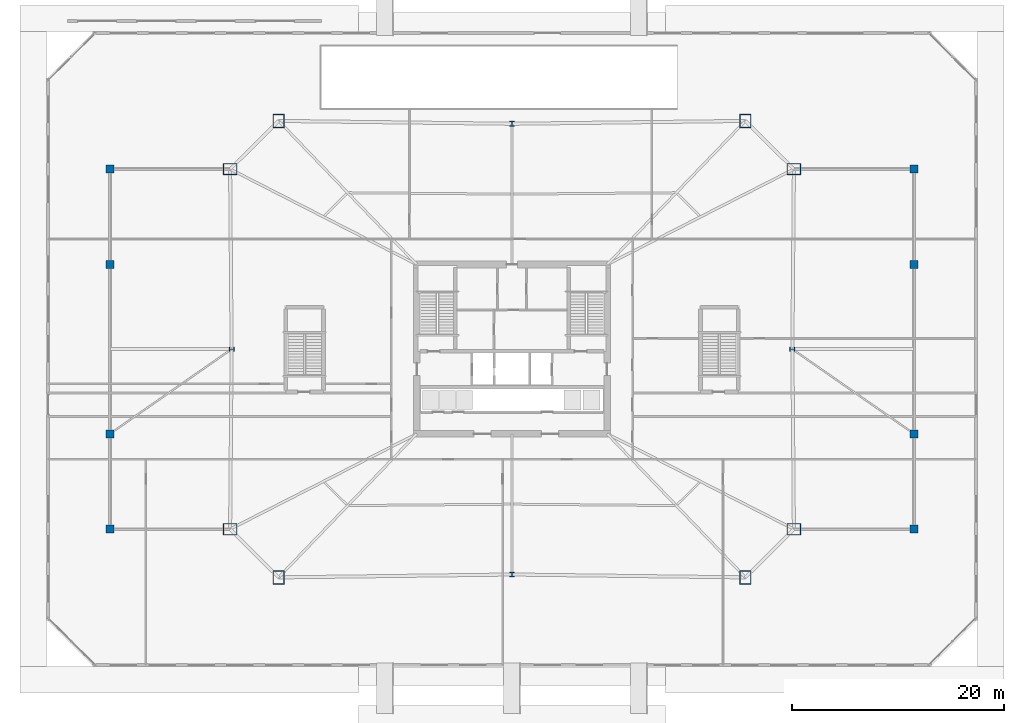
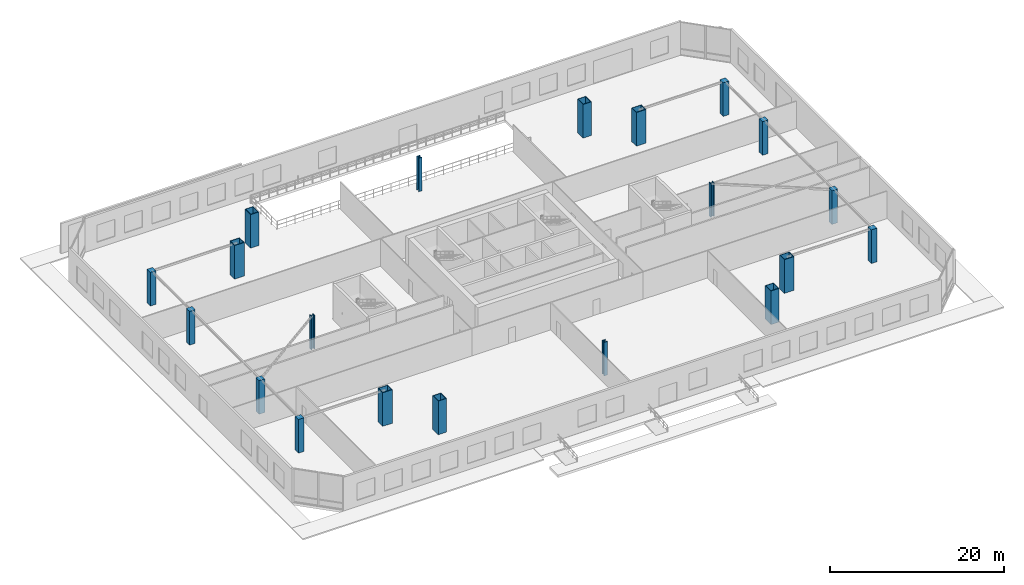
# One storey, part 1 of 23: 20 columns.
"""IFC4 building model written with IfcOpenShell, lengths in metres."""

from ifc_helpers import new_model, si_unit, direction, frame, origin, origin_2d, place, context, subcontext, project, spatial, rectangle, hollow_rectangle, i_section, extrude, material, material_profile, profile_set, type_object, element, save


model = new_model("IFC4")

# Units and contexts
model_context = context("Model", 3, precision=1e-05, world=origin(), true_north=direction((0.0, 1.0)))
body_context = subcontext(model_context, "Body", "Model", "MODEL_VIEW")
ifc_project = project(units=[si_unit("LENGTHUNIT", "METRE"), si_unit("AREAUNIT", "SQUARE_METRE"), si_unit("VOLUMEUNIT", "CUBIC_METRE"), si_unit("PLANEANGLEUNIT", "RADIAN"), si_unit("MASSUNIT", "GRAM", prefix="KILO")], contexts=[model_context])

# Site, building, storey
site_placement = place(None, origin())
site = spatial("IfcSite", under=ifc_project, at=site_placement, CompositionType="ELEMENT")
building_placement = place(site_placement, origin())
building = spatial("IfcBuilding", under=site, at=building_placement, Name="Caelvoria Tower", CompositionType="ELEMENT")
storey_placement = place(building_placement, origin())
storey = spatial("IfcBuildingStorey", under=building, at=storey_placement, Name="L00", CompositionType="ELEMENT", Elevation=0.0)

# Columns
ifc_material_1 = material(Name="Structural Steel ASTM A913 Gr.65", Category="steel")
ifc_material_profile_1 = material_profile(ifc_material_1, i_section(OverallWidth=0.43896484375, OverallDepth=0.513916015625, WebThickness=0.059814453125, FlangeThickness=0.096923828125, FilletRadius=0.02490234375, at=origin_2d()), Name="Structural Steel ASTM A913 Gr.65")
ifc_profile_set_1 = profile_set([ifc_material_profile_1], Name="W360X818 - Structural Steel ASTM A913 Gr.65")
column_type_1 = type_object("IfcColumnType", Name="Heavy Frame Column W360X818", PredefinedType="COLUMN", material=ifc_profile_set_1)
for number, where, z_axis, x_axis, name in (
    (1, (46.0, 10.699951171875, 0.0), (0.0, 0.0, 1.0), (1.0, 0.0, 0.0), "Perimeter Megaframe Column L00-P01"),
    (2, (72.5, 32.0, 0.0), (0.0, 0.0, 1.0), (0.0, 1.0, 0.0), "Perimeter Megaframe Column L00-P04"),
    (3, (46.0, 53.300048828125, 0.0), (0.0, 0.0, 1.0), (1.0, 0.0, 0.0), "Perimeter Megaframe Column L00-P07"),
    (4, (19.5, 32.0, 0.0), (0.0, 0.0, 1.0), (0.0, 1.0, 0.0), "Perimeter Megaframe Column L00-P10"),
):
    element("IfcColumn", number, at=place(storey_placement, frame(where, z_axis=z_axis, x_axis=x_axis)), inside=storey, type_object=column_type_1, Name=name, PredefinedType="COLUMN", context=body_context, shape_type="SweptSolid", body=[
        extrude(i_section(OverallWidth=0.43896484375, OverallDepth=0.513916015625, WebThickness=0.059814453125, FlangeThickness=0.096923828125, FilletRadius=0.02490234375, at=origin_2d()), origin(), (0.0, 0.0, 1.0), 4.718017578125),
    ])
ifc_material_2 = material(Name="Structural Steel ASTM A572 Gr.50", Category="steel")
ifc_material_profile_2 = material_profile(ifc_material_2, hollow_rectangle(XDim=1.10009765625, YDim=1.300048828125, WallThickness=0.070068359375, at=origin_2d()), Name="Structural Steel ASTM A572 Gr.50")
ifc_profile_set_2 = profile_set([ifc_material_profile_2], Name="BOX1300X1100X70 - Structural Steel ASTM A572 Gr.50")
column_type_2 = type_object("IfcColumnType", Name="Mega Box Column 1300x1100x70", PredefinedType="COLUMN", material=ifc_profile_set_2)
for number, where, z_axis, x_axis, name in (
    (5, (23.943359375, 10.42919921875, 0.0), (0.0, 0.0, 1.0), (1.0, 0.0, 0.0), "Perimeter Megaframe Column L00-P00"),
    (6, (68.056640625, 10.42919921875, 0.0), (0.0, 0.0, 1.0), (1.0, 0.0, 0.0), "Perimeter Megaframe Column L00-P02"),
    (7, (72.6416015625, 14.984375, 0.0), (0.0, 0.0, 1.0), (0.0, 1.0, 0.0), "Perimeter Megaframe Column L00-P03"),
    (8, (72.6416015625, 49.015625, 0.0), (0.0, 0.0, 1.0), (0.0, 1.0, 0.0), "Perimeter Megaframe Column L00-P05"),
    (9, (68.056640625, 53.57080078125, 0.0), (0.0, 0.0, 1.0), (1.0, 0.0, 0.0), "Perimeter Megaframe Column L00-P06"),
    (10, (23.943359375, 53.57080078125, 0.0), (0.0, 0.0, 1.0), (1.0, 0.0, 0.0), "Perimeter Megaframe Column L00-P08"),
    (11, (19.3583984375, 49.015625, 0.0), (0.0, 0.0, 1.0), (0.0, 1.0, 0.0), "Perimeter Megaframe Column L00-P09"),
    (12, (19.3583984375, 14.984375, 0.0), (0.0, 0.0, 1.0), (0.0, 1.0, 0.0), "Perimeter Megaframe Column L00-P11"),
):
    element("IfcColumn", number, at=place(storey_placement, frame(where, z_axis=z_axis, x_axis=x_axis)), inside=storey, type_object=column_type_2, Name=name, PredefinedType="COLUMN", context=body_context, shape_type="SweptSolid", body=[
        extrude(hollow_rectangle(XDim=1.10009765625, YDim=1.300048828125, WallThickness=0.070068359375, at=origin_2d()), origin(), (0.0, 0.0, 1.0), 4.718017578125),
    ])
ifc_material_3 = material(Name="Concrete C50/60", Category="concrete")
ifc_material_profile_3 = material_profile(ifc_material_3, rectangle(XDim=0.75, YDim=0.75, at=origin_2d()), Name="Concrete C50/60")
ifc_profile_set_3 = profile_set([ifc_material_profile_3], Name="RC_COL_750X750 - Concrete C50/60")
column_type_3 = type_object("IfcColumnType", Name="Podium Arcade Stone-Clad Structural Pilaster 750x750", PredefinedType="PILASTER", material=ifc_profile_set_3)
for number, where, z_axis, x_axis, name in (
    (13, (8.0, 14.984375, 0.0), (0.0, 0.0, 1.0), (1.0, 0.0, 0.0), "Podium Arcade Pilaster L00-01"),
    (14, (8.0, 24.0, 0.0), (0.0, 0.0, 1.0), (1.0, 0.0, 0.0), "Podium Arcade Pilaster L00-02"),
    (15, (8.0, 40.0, 0.0), (0.0, 0.0, 1.0), (1.0, 0.0, 0.0), "Podium Arcade Pilaster L00-03"),
    (16, (8.0, 49.015625, 0.0), (0.0, 0.0, 1.0), (1.0, 0.0, 0.0), "Podium Arcade Pilaster L00-04"),
    (17, (84.0, 14.984375, 0.0), (0.0, 0.0, 1.0), (1.0, 0.0, 0.0), "Podium Arcade Pilaster L00-05"),
    (18, (84.0, 24.0, 0.0), (0.0, 0.0, 1.0), (1.0, 0.0, 0.0), "Podium Arcade Pilaster L00-06"),
    (19, (84.0, 40.0, 0.0), (0.0, 0.0, 1.0), (1.0, 0.0, 0.0), "Podium Arcade Pilaster L00-07"),
    (20, (84.0, 49.015625, 0.0), (0.0, 0.0, 1.0), (1.0, 0.0, 0.0), "Podium Arcade Pilaster L00-08"),
):
    element("IfcColumn", number, at=place(storey_placement, frame(where, z_axis=z_axis, x_axis=x_axis)), inside=storey, type_object=column_type_3, Name=name, PredefinedType="PILASTER", context=body_context, shape_type="SweptSolid", body=[
        extrude(rectangle(XDim=0.75, YDim=0.75, at=origin_2d()), origin(), (0.0, 0.0, 1.0), 4.719970703125),
    ])

save(model, "model.ifc")
